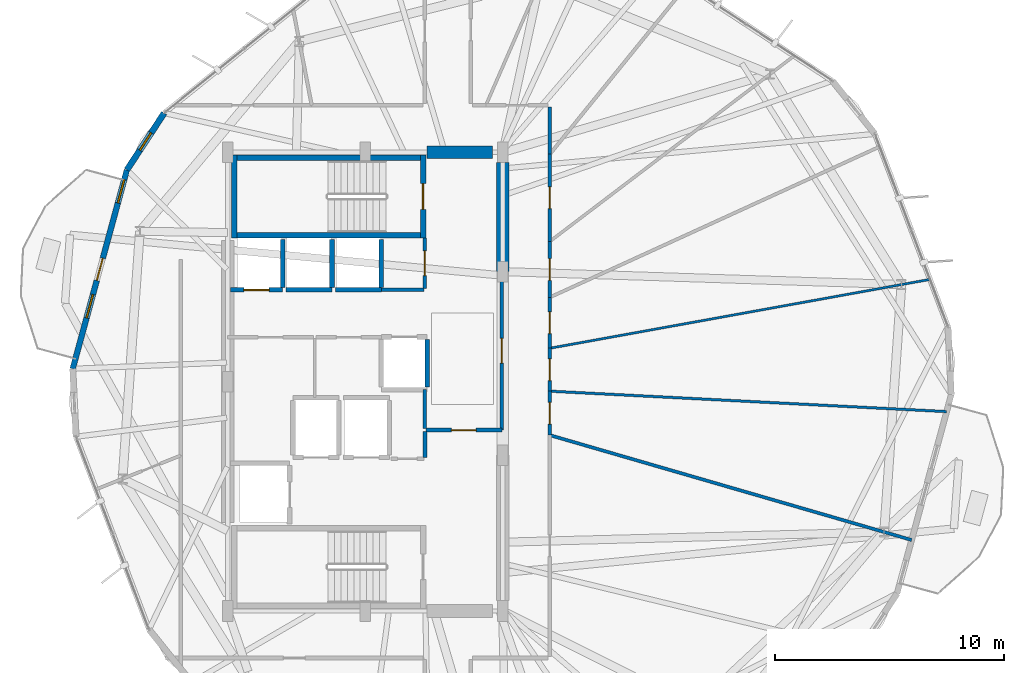
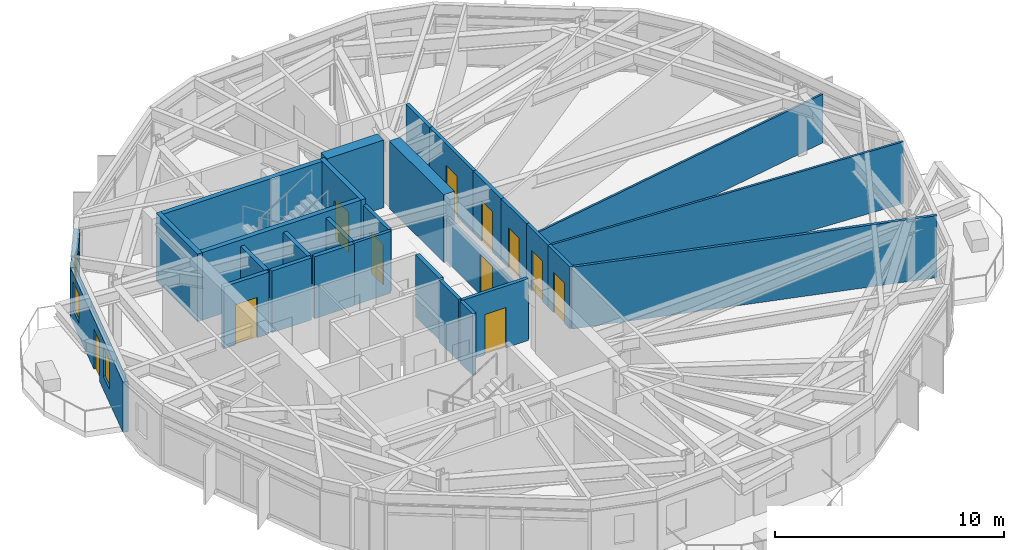
# One storey, part 19 of 23: 30 walls, 11 doors, 3 windows, 14 openings.
"""IFC4 building model written with IfcOpenShell, lengths in metres."""

import ifcopenshell
import ifcopenshell.guid

model = None  # the IFC model being written
_history = None  # IfcOwnerHistory: only IFC2X3 demands one
_inside = {}  # id of a spatial element -> (the spatial element, [elements in it])
_under = {}  # id of a project, library or spatial element -> (it, [spatial elements below it])
_declared = {}  # id of a project -> (the project, [libraries it declares])
_typed = {}  # id of a type object -> (the type object, [elements of that type])
_made_of = {}  # id of a material, layer set ... -> (it, [elements and type objects made of it])


def new_model(schema):
    """Start an empty IFC model of exactly this schema.

    Asked for "IFC4X3", IfcOpenShell would pick the latest addendum, in which some entities
    have other attributes; the version numbers below select the first issue.
    IFC2X3 requires an IfcOwnerHistory on every rooted entity: one is made here for all.
    """
    global model, _history
    if schema == "IFC4X3":
        model = ifcopenshell.file(schema_version=(4, 3, 0, 0))
    else:
        model = ifcopenshell.file(schema=schema)
    _inside.clear()
    _under.clear()
    _declared.clear()
    _typed.clear()
    _made_of.clear()
    _history = None
    if model.schema == "IFC2X3":
        org = make("IfcOrganization", Name="unknown")
        user = make(
            "IfcPersonAndOrganization",
            ThePerson=make("IfcPerson", FamilyName="unknown"),
            TheOrganization=org,
        )
        app = make(
            "IfcApplication",
            ApplicationDeveloper=org,
            Version="unknown",
            ApplicationFullName="unknown",
            ApplicationIdentifier="unknown",
        )
        _history = make(
            "IfcOwnerHistory",
            OwningUser=user,
            OwningApplication=app,
            ChangeAction="ADDED",
            CreationDate=0,
        )
    return model


def make(cls, **values):
    """One entity of the class cls with the attributes given. An attribute that is None is left unset."""
    return model.create_entity(
        cls, **{name: value for name, value in values.items() if value is not None}
    )


def rooted(cls, **values):
    """An entity with a GlobalId (a new one), such as an element, a storey or a relation."""
    return make(cls, GlobalId=ifcopenshell.guid.new(), OwnerHistory=_history, **values)


def si_unit(unit_type, name, prefix=None):
    """IfcSIUnit, for example si_unit("LENGTHUNIT", "METRE", prefix="MILLI")."""
    return make("IfcSIUnit", UnitType=unit_type, Prefix=prefix, Name=name)


def assignment(units):
    """IfcUnitAssignment: the units of a project."""
    return None if units is None else make("IfcUnitAssignment", Units=units)


def point(xyz):
    """IfcCartesianPoint."""
    return None if xyz is None else make("IfcCartesianPoint", Coordinates=xyz)


def direction(xyz):
    """IfcDirection."""
    return None if xyz is None else make("IfcDirection", DirectionRatios=xyz)


def frame(location, z_axis=None, x_axis=None):
    """IfcAxis2Placement3D, a coordinate frame: its origin and axes. An axis left out is left unset."""
    return make(
        "IfcAxis2Placement3D",
        Location=point(location),
        Axis=direction(z_axis),
        RefDirection=direction(x_axis),
    )


def frame_2d(location, x_axis=None):
    """IfcAxis2Placement2D, a coordinate frame in the plane: its origin and x axis."""
    return make(
        "IfcAxis2Placement2D", Location=point(location), RefDirection=direction(x_axis)
    )


def origin():
    """The frame at (0, 0, 0) with its axes left unset."""
    return frame((0.0, 0.0, 0.0))


def place(relative_to, where):
    """IfcLocalPlacement: puts the frame where relative to a parent placement (None: the world)."""
    return make(
        "IfcLocalPlacement", PlacementRelTo=relative_to, RelativePlacement=where
    )


def context(
    kind, dimensions, precision=None, world=None, true_north=None, identifier=None
):
    """IfcGeometricRepresentationContext, for example the 3D "Model" context."""
    return make(
        "IfcGeometricRepresentationContext",
        ContextIdentifier=identifier,
        ContextType=kind,
        CoordinateSpaceDimension=dimensions,
        Precision=precision,
        WorldCoordinateSystem=world,
        TrueNorth=true_north,
    )


def subcontext(parent, identifier, kind, view, scale=None):
    """IfcGeometricRepresentationSubContext, for example "Body" below "Model"."""
    return make(
        "IfcGeometricRepresentationSubContext",
        ContextIdentifier=identifier,
        ContextType=kind,
        ParentContext=parent,
        TargetScale=scale,
        TargetView=view,
    )


def project(units=None, contexts=None):
    """IfcProject with its units and contexts."""
    return rooted(
        "IfcProject",
        Name="project",
        RepresentationContexts=contexts,
        UnitsInContext=assignment(units),
    )


def spatial(cls, under=None, at=None, **own):
    """A site, building, storey or space (cls), placed at a placement, below another one or the project."""
    s = rooted(cls, ObjectPlacement=at, **own)
    if under is not None:
        _under.setdefault(under.id(), (under, []))[1].append(s)
    return s


def profile(cls, at=None, kind="AREA", **sizes):
    """A parametric profile (cls). Its sizes go by their IFC names, for example OverallWidth=200.0."""
    return make(cls, ProfileType=kind, Position=at, **sizes)


def rectangle(**sizes):
    """IfcRectangleProfileDef."""
    return profile("IfcRectangleProfileDef", **sizes)


def extrude(swept, where, along, depth):
    """IfcExtrudedAreaSolid: the profile swept, set in the frame where, extruded along a direction by depth."""
    return make(
        "IfcExtrudedAreaSolid",
        SweptArea=swept,
        Position=where,
        ExtrudedDirection=direction(along),
        Depth=depth,
    )


def shape(context_of_items, identifier, shape_type, items):
    """IfcShapeRepresentation: the items that make up one representation, for example the "Body"."""
    return make(
        "IfcShapeRepresentation",
        ContextOfItems=context_of_items,
        RepresentationIdentifier=identifier,
        RepresentationType=shape_type,
        Items=items,
    )


def material(Name=None, Category=None):
    """IfcMaterial."""
    return make("IfcMaterial", Name=Name, Category=Category)


def layer(
    of_material, thickness, ventilated=None, Name=None, Category=None, Priority=None
):
    """IfcMaterialLayer: one layer of a wall or slab, of a material (None: an air gap)."""
    return make(
        "IfcMaterialLayer",
        Material=of_material,
        LayerThickness=thickness,
        IsVentilated=ventilated,
        Name=Name,
        Category=Category,
        Priority=Priority,
    )


def layer_set(layers, Name=None):
    """IfcMaterialLayerSet."""
    return make("IfcMaterialLayerSet", MaterialLayers=layers, LayerSetName=Name)


def made_of(thing, what):
    """Note that an element or type object is made of a material, layer set ...; save() writes the relation."""
    if what is not None:
        _made_of.setdefault(what.id(), (what, []))[1].append(thing)
    return thing


def type_object(cls, material=None, **own):
    """A type object (cls), such as IfcWallType, which elements share."""
    return made_of(rooted(cls, **own), material)


def element(
    cls,
    number,
    at=None,
    inside=None,
    cuts=None,
    type_object=None,
    material=None,
    context=None,
    identifier="Body",
    shape_type=None,
    held_by="IfcProductDefinitionShape",
    body=None,
    shapes=None,
    **own,
):
    """One element of the class cls, such as IfcWall. Its Tag is "e" and its number.

    at: its placement. inside: the storey or other place that contains it. cuts: it is an
    opening in that element (IfcRelVoidsElement). A single representation is given by context,
    identifier, shape_type and body (its items); several are given by shapes. held_by: the class
    of the entity that holds the representations. save() writes the other relations.
    """
    e = rooted(cls, Tag="e%d" % number, ObjectPlacement=at, **own)
    if body is not None:
        shapes = [shape(context, identifier, shape_type, body)]
    if shapes is not None:
        e.Representation = make(held_by, Representations=shapes)
    if inside is not None:
        _inside.setdefault(inside.id(), (inside, []))[1].append(e)
    if cuts is not None:
        rooted(
            "IfcRelVoidsElement", RelatingBuildingElement=cuts, RelatedOpeningElement=e
        )
    if type_object is not None:
        _typed.setdefault(type_object.id(), (type_object, []))[1].append(e)
    return made_of(e, material)


def fill(opening, filler):
    """IfcRelFillsElement: the door or window that sits in an opening."""
    return rooted(
        "IfcRelFillsElement",
        RelatingOpeningElement=opening,
        RelatedBuildingElement=filler,
    )


def aggregate(whole, parts):
    """IfcRelAggregates: a whole, such as a stair, and the parts it consists of."""
    return rooted("IfcRelAggregates", RelatingObject=whole, RelatedObjects=parts)


def save(model, path):
    """Write the relations noted so far, then the file.

    IfcRelAggregates (storeys below a building ...), IfcRelContainedInSpatialStructure (elements
    in a storey), IfcRelDefinesByType, IfcRelAssociatesMaterial and IfcRelDeclares: one each for
    every whole, place, type object, material and project.
    """
    for whole, parts in _under.values():
        aggregate(whole, parts)
    for where, things in _inside.values():
        rooted(
            "IfcRelContainedInSpatialStructure",
            RelatedElements=things,
            RelatingStructure=where,
        )
    for kind, things in _typed.values():
        rooted("IfcRelDefinesByType", RelatedObjects=things, RelatingType=kind)
    for what, things in _made_of.values():
        rooted("IfcRelAssociatesMaterial", RelatedObjects=things, RelatingMaterial=what)
    for by, libraries in _declared.values():
        rooted("IfcRelDeclares", RelatingContext=by, RelatedDefinitions=libraries)
    model.write(path)


model = new_model("IFC4")

# Units and contexts
model_context = context("Model", 3, precision=1e-05, world=origin(), true_north=direction((0.0, 1.0)))
body_context = subcontext(model_context, "Body", "Model", "MODEL_VIEW")
ifc_project = project(units=[si_unit("LENGTHUNIT", "METRE"), si_unit("AREAUNIT", "SQUARE_METRE"), si_unit("VOLUMEUNIT", "CUBIC_METRE"), si_unit("PLANEANGLEUNIT", "RADIAN"), si_unit("MASSUNIT", "GRAM", prefix="KILO")], contexts=[model_context])

# Site, building, storey
site_placement = place(None, origin())
site = spatial("IfcSite", under=ifc_project, at=site_placement, CompositionType="ELEMENT")
building_placement = place(site_placement, origin())
building = spatial("IfcBuilding", under=site, at=building_placement, Name="Soratama Intermodal Tower", CompositionType="ELEMENT")
storey_placement = place(building_placement, frame((0.0, 0.0, 175.0)))
storey = spatial("IfcBuildingStorey", under=building, at=storey_placement, Name="L43", CompositionType="ELEMENT", Elevation=175.0)

# Wall, openings, door, windows
ifc_material_1 = material(Name="Concrete f'c 42 MPa", Category="concrete")
ifc_layer_1 = layer(ifc_material_1, 0.25)
ifc_layer_set_1 = layer_set([ifc_layer_1], Name="Concrete f'c 42 MPa")
wall_type_1 = type_object("IfcWallType", Name="EW-BAL-250", PredefinedType="SOLIDWALL", material=ifc_layer_set_1)
wall_1_placement = place(storey_placement, frame((28.20849609375, 34.2314453125, 0.0), z_axis=(0.0, 0.0, 1.0), x_axis=(-0.262862214903, -0.964833382495, 0.0)))
wall_1 = element("IfcWall", 1, at=wall_1_placement, inside=storey, type_object=wall_type_1, Name="L43 Terrace Wall F04", PredefinedType="SOLIDWALL", context=body_context, shape_type="SweptSolid", body=[
    extrude(rectangle(XDim=8.98583984375, YDim=0.25, at=frame_2d((4.492919921875, 0.0))), origin(), (0.0, 0.0, 1.0), 2.678955078125),
])
opening_1_placement = place(wall_1_placement, frame((3.992919921875, 0.0, 0.0)))
opening_1 = element("IfcOpeningElement", 2, at=opening_1_placement, cuts=wall_1, Name="Opening ED-2", PredefinedType="OPENING", context=body_context, shape_type="SweptSolid", body=[
    extrude(rectangle(XDim=1.0, YDim=2.14990234375, at=frame_2d((0.5, 1.074951171875))), frame((0.0, 0.135009765625, 0.0), z_axis=(0.0, -1.0, 0.0), x_axis=(1.0, 0.0, 0.0)), (0.0, 0.0, 1.0), 0.27001953125),
])
opening_2_placement = place(wall_1_placement, frame((0.43994140625, 0.0, 0.719970703125)))
opening_2 = element("IfcOpeningElement", 3, at=opening_2_placement, cuts=wall_1, Name="Opening WN-5", PredefinedType="OPENING", context=body_context, shape_type="SweptSolid", body=[
    extrude(rectangle(XDim=1.050048828125, YDim=1.550048828125, at=frame_2d((0.52490234375, 0.77490234375))), frame((0.0, 0.135009765625, 0.0), z_axis=(0.0, -1.0, 0.0), x_axis=(1.0, 0.0, 0.0)), (0.0, 0.0, 1.0), 0.27001953125),
])
opening_3_placement = place(wall_1_placement, frame((5.6328125, 0.0, 0.719970703125)))
opening_3 = element("IfcOpeningElement", 4, at=opening_3_placement, cuts=wall_1, Name="Opening WN-5", PredefinedType="OPENING", context=body_context, shape_type="SweptSolid", body=[
    extrude(rectangle(XDim=1.050048828125, YDim=1.550048828125, at=frame_2d((0.52490234375, 0.77490234375))), frame((0.0, 0.135009765625, 0.0), z_axis=(0.0, -1.0, 0.0), x_axis=(1.0, 0.0, 0.0)), (0.0, 0.0, 1.0), 0.27001953125),
])
ifc_material_2 = material(Name="Double-glazed aluminium door", Category="aluminium")
door_type_1 = type_object("IfcDoorType", Name="DR-BAL-1000", OperationType="NOTDEFINED", PredefinedType="DOOR", material=ifc_material_2)
door_1_placement = place(opening_1_placement, origin())
door_1 = element("IfcDoor", 5, at=door_1_placement, inside=storey, type_object=door_type_1, Name="L43 Balcony Door F04", OperationType="SINGLE_SWING_RIGHT", OverallHeight=2.14990234375, OverallWidth=1.0, PredefinedType="DOOR", context=body_context, shape_type="SweptSolid", body=[
    extrude(rectangle(XDim=1.0, YDim=2.14990234375, at=frame_2d((0.5, 1.074951171875))), frame((0.0, 0.02490234375, 0.0), z_axis=(0.0, -1.0, 0.0), x_axis=(1.0, 0.0, 0.0)), (0.0, 0.0, 1.0), 0.050048828125),
])
fill(opening_1, door_1)
ifc_material_3 = material(Name="Double-glazed aluminium window", Category="aluminium")
window_type_1 = type_object("IfcWindowType", Name="WN-FAC-1050", PartitioningType="SINGLE_PANEL", PredefinedType="WINDOW", material=ifc_material_3)
window_1_placement = place(opening_2_placement, origin())
window_1 = element("IfcWindow", 6, at=window_1_placement, inside=storey, type_object=window_type_1, Name="L43 Window A F04", OverallHeight=1.550048828125, OverallWidth=1.050048828125, PartitioningType="SINGLE_PANEL", PredefinedType="WINDOW", context=body_context, shape_type="SweptSolid", body=[
    extrude(rectangle(XDim=1.050048828125, YDim=1.550048828125, at=frame_2d((0.52490234375, 0.77490234375))), frame((0.0, 0.030029296875, 0.0), z_axis=(0.0, -1.0, 0.0), x_axis=(1.0, 0.0, 0.0)), (0.0, 0.0, 1.0), 0.06005859375),
])
fill(opening_2, window_1)
window_2_placement = place(opening_3_placement, origin())
window_2 = element("IfcWindow", 7, at=window_2_placement, inside=storey, type_object=window_type_1, Name="L43 Window B F04", OverallHeight=1.550048828125, OverallWidth=1.050048828125, PartitioningType="SINGLE_PANEL", PredefinedType="WINDOW", context=body_context, shape_type="SweptSolid", body=[
    extrude(rectangle(XDim=1.050048828125, YDim=1.550048828125, at=frame_2d((0.52490234375, 0.77490234375))), frame((0.0, 0.030029296875, 0.0), z_axis=(0.0, -1.0, 0.0), x_axis=(1.0, 0.0, 0.0)), (0.0, 0.0, 1.0), 0.06005859375),
])
fill(opening_3, window_2)

# Wall, opening, window
ifc_material_4 = material(Name="Concrete f'c 42 MPa", Category="concrete")
ifc_layer_2 = layer(ifc_material_4, 0.27001953125)
ifc_layer_set_2 = layer_set([ifc_layer_2], Name="Concrete f'c 42 MPa")
wall_type_2 = type_object("IfcWallType", Name="EW-CRN-270", PredefinedType="SOLIDWALL", material=ifc_layer_set_2)
wall_2_placement = place(storey_placement, frame((29.83447265625, 36.712646484375, 0.0), z_axis=(0.0, 0.0, 1.0), x_axis=(-0.548111634579, -0.836405186521, 0.0)))
wall_2 = element("IfcWall", 8, at=wall_2_placement, inside=storey, type_object=wall_type_2, Name="L43 Corner Closure Wall 03", PredefinedType="SOLIDWALL", context=body_context, shape_type="SweptSolid", body=[
    extrude(rectangle(XDim=2.966552734375, YDim=0.27001953125, at=frame_2d((1.4833984375, 0.0))), origin(), (0.0, 0.0, 1.0), 2.678955078125),
])
opening_4_placement = place(wall_2_placement, frame((1.033203125, 0.0, 0.75)))
opening_4 = element("IfcOpeningElement", 9, at=opening_4_placement, cuts=wall_2, Name="Opening WN-6", PredefinedType="OPENING", context=body_context, shape_type="SweptSolid", body=[
    extrude(rectangle(XDim=0.89990234375, YDim=1.5, at=frame_2d((0.449951171875, 0.75))), frame((0.0, 0.14501953125, 0.0), z_axis=(0.0, -1.0, 0.0), x_axis=(1.0, 0.0, 0.0)), (0.0, 0.0, 1.0), 0.2900390625),
])
ifc_material_5 = material(Name="Double-glazed aluminium window", Category="aluminium")
window_type_2 = type_object("IfcWindowType", Name="WN-FAC-900", PartitioningType="SINGLE_PANEL", PredefinedType="WINDOW", material=ifc_material_5)
window_3_placement = place(opening_4_placement, origin())
window_3 = element("IfcWindow", 10, at=window_3_placement, inside=storey, type_object=window_type_2, Name="L43 Corner Window 03", OverallHeight=1.5, OverallWidth=0.89990234375, PartitioningType="SINGLE_PANEL", PredefinedType="WINDOW", context=body_context, shape_type="SweptSolid", body=[
    extrude(rectangle(XDim=0.89990234375, YDim=1.5, at=frame_2d((0.449951171875, 0.75))), frame((0.0, 0.030029296875, 0.0), z_axis=(0.0, -1.0, 0.0), x_axis=(1.0, 0.0, 0.0)), (0.0, 0.0, 1.0), 0.06005859375),
])
fill(opening_4, window_3)

# Wall, opening, door
ifc_material_6 = material(Name="Fire-rated gypsum stud partition", Category="concrete")
ifc_layer_3 = layer(ifc_material_6, 0.159912109375)
ifc_layer_set_3 = layer_set([ifc_layer_3], Name="Fire-rated gypsum stud partition")
wall_type_3 = type_object("IfcWallType", Name="IW-PART-R160", PredefinedType="PARTITIONING", material=ifc_layer_set_3)
wall_3_placement = place(storey_placement, frame((44.56005859375, 29.800048828125, 0.0), z_axis=(0.0, 0.0, 1.0), x_axis=(0.0, -1.0, 0.0)))
wall_3 = element("IfcWall", 11, at=wall_3_placement, inside=storey, type_object=wall_type_3, Name="L43 Partition W-L43-TP011", PredefinedType="PARTITIONING", context=body_context, shape_type="SweptSolid", body=[
    extrude(rectangle(XDim=6.91015625, YDim=0.159912109375, at=frame_2d((3.455078125, 0.0))), origin(), (0.0, 0.0, 1.0), 2.340087890625),
])
opening_5_placement = place(wall_3_placement, frame((2.9150390625, 0.0, 0.0)))
opening_5 = element("IfcOpeningElement", 12, at=opening_5_placement, cuts=wall_3, Name="Opening ID-1", PredefinedType="OPENING", context=body_context, shape_type="SweptSolid", body=[
    extrude(rectangle(XDim=1.080078125, YDim=2.14990234375, at=frame_2d((0.5400390625, 1.074951171875))), frame((0.0, 0.08984375, 0.0), z_axis=(0.0, -1.0, 0.0), x_axis=(1.0, 0.0, 0.0)), (0.0, 0.0, 1.0), 0.179931640625),
])
ifc_material_7 = material(Name="Solid hardwood acoustic door", Category="wood")
door_type_2 = type_object("IfcDoorType", Name="DR-LOB-FD60", OperationType="NOTDEFINED", PredefinedType="DOOR", material=ifc_material_7)
door_2_placement = place(opening_5_placement, origin())
door_2 = element("IfcDoor", 13, at=door_2_placement, inside=storey, type_object=door_type_2, Name="L43 Door D-L43-TP003", OperationType="SINGLE_SWING_RIGHT", OverallHeight=2.14990234375, OverallWidth=1.080078125, PredefinedType="DOOR", context=body_context, shape_type="SweptSolid", body=[
    extrude(rectangle(XDim=1.080078125, YDim=2.14990234375, at=frame_2d((0.5400390625, 1.074951171875))), frame((0.0, 0.02490234375, 0.0), z_axis=(0.0, -1.0, 0.0), x_axis=(1.0, 0.0, 0.0)), (0.0, 0.0, 1.0), 0.050048828125),
])
fill(opening_5, door_2)

wall_4_placement = place(storey_placement, frame((46.64990234375, 34.9208984375, 0.0), z_axis=(0.0, 0.0, 1.0), x_axis=(0.0, -1.0, 0.0)))
wall_4 = element("IfcWall", 14, at=wall_4_placement, inside=storey, type_object=wall_type_3, Name="L43 Partition W-L43-TP020", PredefinedType="PARTITIONING", context=body_context, shape_type="SweptSolid", body=[
    extrude(rectangle(XDim=3.805908203125, YDim=0.159912109375, at=frame_2d((1.90283203125, 0.0))), origin(), (0.0, 0.0, 1.0), 3.300048828125),
])
opening_6_placement = place(wall_4_placement, frame((1.427978515625, 0.0, 0.0)))
opening_6 = element("IfcOpeningElement", 15, at=opening_6_placement, cuts=wall_4, Name="Opening ID-3", PredefinedType="OPENING", context=body_context, shape_type="SweptSolid", body=[
    extrude(rectangle(XDim=0.949951171875, YDim=2.14990234375, at=frame_2d((0.47509765625, 1.074951171875))), frame((0.0, 0.08984375, 0.0), z_axis=(0.0, -1.0, 0.0), x_axis=(1.0, 0.0, 0.0)), (0.0, 0.0, 1.0), 0.179931640625),
])
ifc_material_8 = material(Name="Solid hardwood acoustic door", Category="wood")
door_type_3 = type_object("IfcDoorType", Name="DR-ROOM-950", OperationType="NOTDEFINED", PredefinedType="DOOR", material=ifc_material_8)
door_3_placement = place(opening_6_placement, origin())
door_3 = element("IfcDoor", 16, at=door_3_placement, inside=storey, type_object=door_type_3, Name="L43 Door D-L43-TP007", OperationType="SINGLE_SWING_RIGHT", OverallHeight=2.14990234375, OverallWidth=0.949951171875, PredefinedType="DOOR", context=body_context, shape_type="SweptSolid", body=[
    extrude(rectangle(XDim=0.949951171875, YDim=2.14990234375, at=frame_2d((0.47509765625, 1.074951171875))), frame((0.0, 0.02490234375, 0.0), z_axis=(0.0, -1.0, 0.0), x_axis=(1.0, 0.0, 0.0)), (0.0, 0.0, 1.0), 0.050048828125),
])
fill(opening_6, door_3)

wall_5_placement = place(storey_placement, frame((46.64990234375, 31.114990234375, 0.0), z_axis=(0.0, 0.0, 1.0), x_axis=(0.0, -1.0, 0.0)))
wall_5 = element("IfcWall", 17, at=wall_5_placement, inside=storey, type_object=wall_type_3, Name="L43 Partition W-L43-TP027", PredefinedType="PARTITIONING", context=body_context, shape_type="SweptSolid", body=[
    extrude(rectangle(XDim=2.43798828125, YDim=0.159912109375, at=frame_2d((1.218994140625, 0.0))), origin(), (0.0, 0.0, 1.0), 3.300048828125),
])
opening_7_placement = place(wall_5_placement, frame((0.743896484375, 0.0, 0.0)))
opening_7 = element("IfcOpeningElement", 18, at=opening_7_placement, cuts=wall_5, Name="Opening ID-3", PredefinedType="OPENING", context=body_context, shape_type="SweptSolid", body=[
    extrude(rectangle(XDim=0.949951171875, YDim=2.14990234375, at=frame_2d((0.47509765625, 1.074951171875))), frame((0.0, 0.08984375, 0.0), z_axis=(0.0, -1.0, 0.0), x_axis=(1.0, 0.0, 0.0)), (0.0, 0.0, 1.0), 0.179931640625),
])
door_4_placement = place(opening_7_placement, origin())
door_4 = element("IfcDoor", 19, at=door_4_placement, inside=storey, type_object=door_type_3, Name="L43 Door D-L43-TP012", OperationType="SINGLE_SWING_LEFT", OverallHeight=2.14990234375, OverallWidth=0.949951171875, PredefinedType="DOOR", context=body_context, shape_type="SweptSolid", body=[
    extrude(rectangle(XDim=0.949951171875, YDim=2.14990234375, at=frame_2d((0.47509765625, 1.074951171875))), frame((0.0, 0.02490234375, 0.0), z_axis=(0.0, -1.0, 0.0), x_axis=(1.0, 0.0, 0.0)), (0.0, 0.0, 1.0), 0.050048828125),
])
fill(opening_7, door_4)

wall_6_placement = place(storey_placement, frame((46.64990234375, 28.677001953125, 0.0), z_axis=(0.0, 0.0, 1.0), x_axis=(0.0, -1.0, 0.0)))
wall_6 = element("IfcWall", 20, at=wall_6_placement, inside=storey, type_object=wall_type_3, Name="L43 Partition W-L43-TP028", PredefinedType="PARTITIONING", context=body_context, shape_type="SweptSolid", body=[
    extrude(rectangle(XDim=2.218994140625, YDim=0.159912109375, at=frame_2d((1.109375, 0.0))), origin(), (0.0, 0.0, 1.0), 3.300048828125),
])
opening_8_placement = place(wall_6_placement, frame((0.635009765625, 0.0, 0.0)))
opening_8 = element("IfcOpeningElement", 21, at=opening_8_placement, cuts=wall_6, Name="Opening ID-3", PredefinedType="OPENING", context=body_context, shape_type="SweptSolid", body=[
    extrude(rectangle(XDim=0.949951171875, YDim=2.14990234375, at=frame_2d((0.47509765625, 1.074951171875))), frame((0.0, 0.08984375, 0.0), z_axis=(0.0, -1.0, 0.0), x_axis=(1.0, 0.0, 0.0)), (0.0, 0.0, 1.0), 0.179931640625),
])
door_5_placement = place(opening_8_placement, origin())
door_5 = element("IfcDoor", 22, at=door_5_placement, inside=storey, type_object=door_type_3, Name="L43 Door D-L43-TP013", OperationType="SINGLE_SWING_RIGHT", OverallHeight=2.14990234375, OverallWidth=0.949951171875, PredefinedType="DOOR", context=body_context, shape_type="SweptSolid", body=[
    extrude(rectangle(XDim=0.949951171875, YDim=2.14990234375, at=frame_2d((0.47509765625, 1.074951171875))), frame((0.0, 0.02490234375, 0.0), z_axis=(0.0, -1.0, 0.0), x_axis=(1.0, 0.0, 0.0)), (0.0, 0.0, 1.0), 0.050048828125),
])
fill(opening_8, door_5)

wall_7_placement = place(storey_placement, frame((41.199951171875, 29.070068359375, 0.0), z_axis=(0.0, 0.0, 1.0), x_axis=(0.0, 1.0, 0.0)))
wall_7 = element("IfcWall", 23, at=wall_7_placement, inside=storey, type_object=wall_type_3, Name="L43 Partition W-L43-TP029", PredefinedType="PARTITIONING", context=body_context, shape_type="SweptSolid", body=[
    extrude(rectangle(XDim=2.18994140625, YDim=0.159912109375, at=frame_2d((1.094970703125, 0.0))), origin(), (0.0, 0.0, 1.0), 3.300048828125),
])
opening_9_placement = place(wall_7_placement, frame((0.554931640625, 0.0, 0.0)))
opening_9 = element("IfcOpeningElement", 24, at=opening_9_placement, cuts=wall_7, Name="Opening ID-1", PredefinedType="OPENING", context=body_context, shape_type="SweptSolid", body=[
    extrude(rectangle(XDim=1.080078125, YDim=2.14990234375, at=frame_2d((0.5400390625, 1.074951171875))), frame((0.0, 0.08984375, 0.0), z_axis=(0.0, -1.0, 0.0), x_axis=(1.0, 0.0, 0.0)), (0.0, 0.0, 1.0), 0.179931640625),
])
door_6_placement = place(opening_9_placement, origin())
door_6 = element("IfcDoor", 25, at=door_6_placement, inside=storey, type_object=door_type_2, Name="L43 Door D-L43-TP014", OperationType="SINGLE_SWING_LEFT", OverallHeight=2.14990234375, OverallWidth=1.080078125, PredefinedType="DOOR", context=body_context, shape_type="SweptSolid", body=[
    extrude(rectangle(XDim=1.080078125, YDim=2.14990234375, at=frame_2d((0.5400390625, 1.074951171875))), frame((0.0, 0.02490234375, 0.0), z_axis=(0.0, -1.0, 0.0), x_axis=(1.0, 0.0, 0.0)), (0.0, 0.0, 1.0), 0.050048828125),
])
fill(opening_9, door_6)

# Wall
wall_8_placement = place(storey_placement, frame((46.64990234375, 36.97998046875, 0.0), z_axis=(0.0, 0.0, 1.0), x_axis=(0.0, -1.0, 0.0)))
element("IfcWall", 26, at=wall_8_placement, inside=storey, type_object=wall_type_3, Name="L43 Partition W-L43-TP030", PredefinedType="PARTITIONING", context=body_context, shape_type="SweptSolid", body=[
    extrude(rectangle(XDim=2.05908203125, YDim=0.159912109375, at=frame_2d((1.029541015625, 0.0))), origin(), (0.0, 0.0, 1.0), 3.300048828125),
])

# Wall, opening, door
wall_9_placement = place(storey_placement, frame((46.64990234375, 24.5859375, 0.0), z_axis=(0.0, 0.0, 1.0), x_axis=(0.0, -1.0, 0.0)))
wall_9 = element("IfcWall", 27, at=wall_9_placement, inside=storey, type_object=wall_type_3, Name="L43 Partition W-L43-TP031", PredefinedType="PARTITIONING", context=body_context, shape_type="SweptSolid", body=[
    extrude(rectangle(XDim=1.9189453125, YDim=0.159912109375, at=frame_2d((0.95947265625, 0.0))), origin(), (0.0, 0.0, 1.0), 3.300048828125),
])
opening_10_placement = place(wall_9_placement, frame((0.48388671875, 0.0, 0.0)))
opening_10 = element("IfcOpeningElement", 28, at=opening_10_placement, cuts=wall_9, Name="Opening ID-3", PredefinedType="OPENING", context=body_context, shape_type="SweptSolid", body=[
    extrude(rectangle(XDim=0.949951171875, YDim=2.14990234375, at=frame_2d((0.47509765625, 1.074951171875))), frame((0.0, 0.08984375, 0.0), z_axis=(0.0, -1.0, 0.0), x_axis=(1.0, 0.0, 0.0)), (0.0, 0.0, 1.0), 0.179931640625),
])
door_7_placement = place(opening_10_placement, origin())
door_7 = element("IfcDoor", 29, at=door_7_placement, inside=storey, type_object=door_type_3, Name="L43 Door D-L43-TP015", OperationType="SINGLE_SWING_RIGHT", OverallHeight=2.14990234375, OverallWidth=0.949951171875, PredefinedType="DOOR", context=body_context, shape_type="SweptSolid", body=[
    extrude(rectangle(XDim=0.949951171875, YDim=2.14990234375, at=frame_2d((0.47509765625, 1.074951171875))), frame((0.0, 0.02490234375, 0.0), z_axis=(0.0, -1.0, 0.0), x_axis=(1.0, 0.0, 0.0)), (0.0, 0.0, 1.0), 0.050048828125),
])
fill(opening_10, door_7)

wall_10_placement = place(storey_placement, frame((46.64990234375, 26.4580078125, 0.0), z_axis=(0.0, 0.0, 1.0), x_axis=(0.0, -1.0, 0.0)))
wall_10 = element("IfcWall", 30, at=wall_10_placement, inside=storey, type_object=wall_type_3, Name="L43 Partition W-L43-TP032", PredefinedType="PARTITIONING", context=body_context, shape_type="SweptSolid", body=[
    extrude(rectangle(XDim=1.8720703125, YDim=0.159912109375, at=frame_2d((0.93603515625, 0.0))), origin(), (0.0, 0.0, 1.0), 3.300048828125),
])
opening_11_placement = place(wall_10_placement, frame((0.4609375, 0.0, 0.0)))
opening_11 = element("IfcOpeningElement", 31, at=opening_11_placement, cuts=wall_10, Name="Opening ID-3", PredefinedType="OPENING", context=body_context, shape_type="SweptSolid", body=[
    extrude(rectangle(XDim=0.949951171875, YDim=2.14990234375, at=frame_2d((0.47509765625, 1.074951171875))), frame((0.0, 0.08984375, 0.0), z_axis=(0.0, -1.0, 0.0), x_axis=(1.0, 0.0, 0.0)), (0.0, 0.0, 1.0), 0.179931640625),
])
door_8_placement = place(opening_11_placement, origin())
door_8 = element("IfcDoor", 32, at=door_8_placement, inside=storey, type_object=door_type_3, Name="L43 Door D-L43-TP016", OperationType="SINGLE_SWING_LEFT", OverallHeight=2.14990234375, OverallWidth=0.949951171875, PredefinedType="DOOR", context=body_context, shape_type="SweptSolid", body=[
    extrude(rectangle(XDim=0.949951171875, YDim=2.14990234375, at=frame_2d((0.47509765625, 1.074951171875))), frame((0.0, 0.02490234375, 0.0), z_axis=(0.0, -1.0, 0.0), x_axis=(1.0, 0.0, 0.0)), (0.0, 0.0, 1.0), 0.050048828125),
])
fill(opening_11, door_8)

# Walls
wall_11_placement = place(storey_placement, frame((39.300048828125, 29.010009765625, 0.0), z_axis=(0.0, 0.0, 1.0), x_axis=(1.0, 0.0, 0.0)))
element("IfcWall", 33, at=wall_11_placement, inside=storey, type_object=wall_type_3, Name="L43 Partition W-L43-TP033", PredefinedType="PARTITIONING", context=body_context, shape_type="SweptSolid", body=[
    extrude(rectangle(XDim=1.85986328125, YDim=0.159912109375, at=frame_2d((0.929931640625, 0.0))), origin(), (0.0, 0.0, 1.0), 3.300048828125),
])
wall_12_placement = place(storey_placement, frame((41.199951171875, 22.9599609375, 0.0), z_axis=(0.0, 0.0, 1.0), x_axis=(0.0, 1.0, 0.0)))
element("IfcWall", 34, at=wall_12_placement, inside=storey, type_object=wall_type_3, Name="L43 Partition W-L43-TP034", PredefinedType="PARTITIONING", context=body_context, shape_type="SweptSolid", body=[
    extrude(rectangle(XDim=1.68994140625, YDim=0.159912109375, at=frame_2d((0.844970703125, 0.0))), origin(), (0.0, 0.0, 1.0), 3.300048828125),
])

# Wall, opening, door
ifc_material_9 = material(Name="Fire-rated gypsum stud partition", Category="concrete")
ifc_layer_4 = layer(ifc_material_9, 0.169921875)
ifc_layer_set_4 = layer_set([ifc_layer_4], Name="Fire-rated gypsum stud partition")
wall_type_4 = type_object("IfcWallType", Name="IW-PART-R170", PredefinedType="PARTITIONING", material=ifc_layer_set_4)
wall_13_placement = place(storey_placement, frame((41.239990234375, 22.889892578125, 0.0), z_axis=(0.0, 0.0, 1.0), x_axis=(1.0, 0.0, 0.0)))
wall_13 = element("IfcWall", 35, at=wall_13_placement, inside=storey, type_object=wall_type_4, Name="L43 Partition W-L43-TP022", PredefinedType="PARTITIONING", context=body_context, shape_type="SweptSolid", body=[
    extrude(rectangle(XDim=3.320068359375, YDim=0.169921875, at=frame_2d((1.66015625, 0.0))), origin(), (0.0, 0.0, 1.0), 3.300048828125),
])
opening_12_placement = place(wall_13_placement, frame((1.1201171875, 0.0, 0.0)))
opening_12 = element("IfcOpeningElement", 36, at=opening_12_placement, cuts=wall_13, Name="Opening ID-0", PredefinedType="OPENING", context=body_context, shape_type="SweptSolid", body=[
    extrude(rectangle(XDim=1.080078125, YDim=2.14990234375, at=frame_2d((0.5400390625, 1.074951171875))), frame((0.0, 0.094970703125, 0.0), z_axis=(0.0, -1.0, 0.0), x_axis=(1.0, 0.0, 0.0)), (0.0, 0.0, 1.0), 0.18994140625),
])
ifc_material_10 = material(Name="Solid hardwood acoustic door", Category="wood")
door_type_4 = type_object("IfcDoorType", Name="DR-LOB-FD90", OperationType="NOTDEFINED", PredefinedType="DOOR", material=ifc_material_10)
door_9_placement = place(opening_12_placement, origin())
door_9 = element("IfcDoor", 37, at=door_9_placement, inside=storey, type_object=door_type_4, Name="L43 Door D-L43-TP009", OperationType="SINGLE_SWING_RIGHT", OverallHeight=2.14990234375, OverallWidth=1.080078125, PredefinedType="DOOR", context=body_context, shape_type="SweptSolid", body=[
    extrude(rectangle(XDim=1.080078125, YDim=2.14990234375, at=frame_2d((0.5400390625, 1.074951171875))), frame((0.0, 0.02490234375, 0.0), z_axis=(0.0, -1.0, 0.0), x_axis=(1.0, 0.0, 0.0)), (0.0, 0.0, 1.0), 0.050048828125),
])
fill(opening_12, door_9)

# Walls
wall_14_placement = place(storey_placement, frame((41.199951171875, 21.699951171875, 0.0), z_axis=(0.0, 0.0, 1.0), x_axis=(0.0, 1.0, 0.0)))
element("IfcWall", 38, at=wall_14_placement, inside=storey, type_object=wall_type_4, Name="L43 Partition W-L43-TP036", PredefinedType="PARTITIONING", context=body_context, shape_type="SweptSolid", body=[
    extrude(rectangle(XDim=1.1201171875, YDim=0.169921875, at=frame_2d((0.56005859375, 0.0))), origin(), (0.0, 0.0, 1.0), 3.300048828125),
])
ifc_material_11 = material(Name="Fire-rated gypsum stud partition", Category="concrete")
ifc_layer_5 = layer(ifc_material_11, 0.10009765625)
ifc_layer_set_5 = layer_set([ifc_layer_5], Name="Fire-rated gypsum stud partition")
wall_type_5 = type_object("IfcWallType", Name="IW-PART-S100", PredefinedType="PARTITIONING", material=ifc_layer_set_5)
wall_15_placement = place(storey_placement, frame((46.64990234375, 26.4580078125, 0.0), z_axis=(0.0, 0.0, 1.0), x_axis=(0.984001322832, 0.178161153633, 0.0)))
element("IfcWall", 39, at=wall_15_placement, inside=storey, type_object=wall_type_5, Name="L43 Partition W-L43-TP002", PredefinedType="PARTITIONING", context=body_context, shape_type="SweptSolid", body=[
    extrude(rectangle(XDim=16.849609375, YDim=0.10009765625, at=frame_2d((8.4248046875, 0.0))), origin(), (0.0, 0.0, 1.0), 2.594970703125),
])
ifc_material_12 = material(Name="Fire-rated gypsum stud partition", Category="concrete")
ifc_layer_6 = layer(ifc_material_12, 0.110107421875)
ifc_layer_set_6 = layer_set([ifc_layer_6], Name="Fire-rated gypsum stud partition")
wall_type_6 = type_object("IfcWallType", Name="IW-PART-S110", PredefinedType="PARTITIONING", material=ifc_layer_set_6)
wall_16_placement = place(storey_placement, frame((63.950927734375, 23.695068359375, 0.0), z_axis=(0.0, 0.0, 1.0), x_axis=(-0.998676903374, 0.051424144788, 0.0)))
element("IfcWall", 40, at=wall_16_placement, inside=storey, type_object=wall_type_6, Name="L43 Partition W-L43-TP001", PredefinedType="PARTITIONING", context=body_context, shape_type="SweptSolid", body=[
    extrude(rectangle(XDim=17.323974609375, YDim=0.110107421875, at=frame_2d((8.662109375, 0.0))), origin(), (0.0, 0.0, 1.0), 3.300048828125),
])
ifc_material_13 = material(Name="Fire-rated gypsum stud partition", Category="concrete")
ifc_layer_7 = layer(ifc_material_13, 0.139892578125)
ifc_layer_set_7 = layer_set([ifc_layer_7], Name="Fire-rated gypsum stud partition")
wall_type_7 = type_object("IfcWallType", Name="IW-PART-S140", PredefinedType="PARTITIONING", material=ifc_layer_set_7)
wall_17_placement = place(storey_placement, frame((46.64990234375, 22.6669921875, 0.0), z_axis=(0.0, 0.0, 1.0), x_axis=(0.960510649918, -0.278243223445, 0.0)))
element("IfcWall", 41, at=wall_17_placement, inside=storey, type_object=wall_type_7, Name="L43 Partition W-L43-TP003", PredefinedType="PARTITIONING", context=body_context, shape_type="SweptSolid", body=[
    extrude(rectangle(XDim=16.4248046875, YDim=0.139892578125, at=frame_2d((8.21240234375, 0.0))), origin(), (0.0, 0.0, 1.0), 3.300048828125),
])
ifc_material_14 = material(Name="Concrete f'c 42 MPa", Category="concrete")
ifc_layer_8 = layer(ifc_material_14, 0.199951171875)
ifc_layer_set_8 = layer_set([ifc_layer_8], Name="Concrete f'c 42 MPa")
wall_type_8 = type_object("IfcWallType", Name="IW-SHAFT-200", PredefinedType="SOLIDWALL", material=ifc_layer_set_8)
wall_18_placement = place(storey_placement, frame((41.300048828125, 24.760009765625, 0.0), z_axis=(0.0, 0.0, 1.0), x_axis=(0.0, 1.0, 0.0)))
element("IfcWall", 42, at=wall_18_placement, inside=storey, type_object=wall_type_8, Name="L43 PL-M1 Hoistway Wall E", PredefinedType="SOLIDWALL", context=body_context, shape_type="SweptSolid", body=[
    extrude(rectangle(XDim=2.080078125, YDim=0.199951171875, at=frame_2d((1.0400390625, 0.0))), origin(), (0.0, 0.0, 1.0), 3.300048828125),
])

# Wall, opening, door
wall_19_placement = place(storey_placement, frame((32.719970703125, 29.0, 0.0), z_axis=(0.0, 0.0, 1.0), x_axis=(1.0, 0.0, 0.0)))
wall_19 = element("IfcWall", 43, at=wall_19_placement, inside=storey, type_object=wall_type_8, Name="L43 PL-M2 Hoistway Wall S", PredefinedType="SOLIDWALL", context=body_context, shape_type="SweptSolid", body=[
    extrude(rectangle(XDim=2.280029296875, YDim=0.199951171875, at=frame_2d((1.14013671875, 0.0))), origin(), (0.0, 0.0, 1.0), 3.300048828125),
])
opening_13_placement = place(wall_19_placement, frame((0.590087890625, 0.0, 0.0)))
opening_13 = element("IfcOpeningElement", 44, at=opening_13_placement, cuts=wall_19, Name="Opening LD-1", PredefinedType="OPENING", context=body_context, shape_type="SweptSolid", body=[
    extrude(rectangle(XDim=1.10009765625, YDim=2.14990234375, at=frame_2d((0.550048828125, 1.074951171875))), frame((0.0, 0.10986328125, 0.0), z_axis=(0.0, -1.0, 0.0), x_axis=(1.0, 0.0, 0.0)), (0.0, 0.0, 1.0), 0.219970703125),
])
ifc_material_15 = material(Name="Steel fire door", Category="steel")
door_type_5 = type_object("IfcDoorType", Name="DR-LIFT-SLIDE", OperationType="NOTDEFINED", PredefinedType="DOOR", material=ifc_material_15)
door_10_placement = place(opening_13_placement, origin())
door_10 = element("IfcDoor", 45, at=door_10_placement, inside=storey, type_object=door_type_5, Name="L43 PL-M2 Sliding Landing Door", OperationType="SLIDING_TO_LEFT", OverallHeight=2.14990234375, OverallWidth=1.10009765625, PredefinedType="DOOR", context=body_context, shape_type="SweptSolid", body=[
    extrude(rectangle(XDim=1.10009765625, YDim=2.14990234375, at=frame_2d((0.550048828125, 1.074951171875))), frame((0.0, 0.02490234375, 0.0), z_axis=(0.0, -1.0, 0.0), x_axis=(1.0, 0.0, 0.0)), (0.0, 0.0, 1.0), 0.050048828125),
])
fill(opening_13, door_10)

# Walls
wall_20_placement = place(storey_placement, frame((35.0, 29.110107421875, 0.0), z_axis=(0.0, 0.0, 1.0), x_axis=(0.0, 1.0, 0.0)))
element("IfcWall", 46, at=wall_20_placement, inside=storey, type_object=wall_type_8, Name="L43 PL-M2 Hoistway Wall E", PredefinedType="SOLIDWALL", context=body_context, shape_type="SweptSolid", body=[
    extrude(rectangle(XDim=2.099853515625, YDim=0.199951171875, at=frame_2d((1.0498046875, 0.0))), origin(), (0.0, 0.0, 1.0), 3.300048828125),
])
wall_21_placement = place(storey_placement, frame((35.14990234375, 29.0, 0.0), z_axis=(0.0, 0.0, 1.0), x_axis=(1.0, 0.0, 0.0)))
element("IfcWall", 47, at=wall_21_placement, inside=storey, type_object=wall_type_8, Name="L43 PL-H1 Hoistway Wall S", PredefinedType="SOLIDWALL", context=body_context, shape_type="SweptSolid", body=[
    extrude(rectangle(XDim=2.0, YDim=0.199951171875, at=frame_2d((1.0, 0.0))), origin(), (0.0, 0.0, 1.0), 3.300048828125),
])
wall_22_placement = place(storey_placement, frame((37.14990234375, 29.110107421875, 0.0), z_axis=(0.0, 0.0, 1.0), x_axis=(0.0, 1.0, 0.0)))
element("IfcWall", 48, at=wall_22_placement, inside=storey, type_object=wall_type_8, Name="L43 PL-H1 Hoistway Wall E", PredefinedType="SOLIDWALL", context=body_context, shape_type="SweptSolid", body=[
    extrude(rectangle(XDim=2.099853515625, YDim=0.199951171875, at=frame_2d((1.0498046875, 0.0))), origin(), (0.0, 0.0, 1.0), 3.300048828125),
])
wall_23_placement = place(storey_placement, frame((37.300048828125, 29.0, 0.0), z_axis=(0.0, 0.0, 1.0), x_axis=(1.0, 0.0, 0.0)))
element("IfcWall", 49, at=wall_23_placement, inside=storey, type_object=wall_type_8, Name="L43 PL-H2 Hoistway Wall S", PredefinedType="SOLIDWALL", context=body_context, shape_type="SweptSolid", body=[
    extrude(rectangle(XDim=2.0, YDim=0.199951171875, at=frame_2d((1.0, 0.0))), origin(), (0.0, 0.0, 1.0), 3.300048828125),
])
wall_24_placement = place(storey_placement, frame((39.300048828125, 29.110107421875, 0.0), z_axis=(0.0, 0.0, 1.0), x_axis=(0.0, 1.0, 0.0)))
element("IfcWall", 50, at=wall_24_placement, inside=storey, type_object=wall_type_8, Name="L43 PL-H2 Hoistway Wall E", PredefinedType="SOLIDWALL", context=body_context, shape_type="SweptSolid", body=[
    extrude(rectangle(XDim=2.099853515625, YDim=0.199951171875, at=frame_2d((1.0498046875, 0.0))), origin(), (0.0, 0.0, 1.0), 3.300048828125),
])
ifc_material_16 = material(Name="Concrete f'c 56 MPa", Category="concrete")
ifc_layer_9 = layer(ifc_material_16, 0.550048828125)
ifc_layer_set_9 = layer_set([ifc_layer_9], Name="Concrete f'c 56 MPa")
wall_type_9 = type_object("IfcWallType", Name="SW-CORE-550", PredefinedType="SHEAR", material=ifc_layer_set_9)
wall_25_placement = place(storey_placement, frame((41.300048828125, 35.0, 0.0), z_axis=(0.0, 0.0, 1.0), x_axis=(1.0, 0.0, 0.0)))
element("IfcWall", 51, at=wall_25_placement, inside=storey, type_object=wall_type_9, Name="L43 Core Shear Wall CW-NE", PredefinedType="SHEAR", context=body_context, shape_type="SweptSolid", body=[
    extrude(rectangle(XDim=2.849853515625, YDim=0.550048828125, at=frame_2d((1.4248046875, 0.0))), origin(), (0.0, 0.0, 1.0), 3.60009765625),
])
wall_26_placement = place(storey_placement, frame((44.60009765625, 29.800048828125, 0.0), z_axis=(0.0, 0.0, 1.0), x_axis=(0.0, 1.0, 0.0)))
element("IfcWall", 52, at=wall_26_placement, inside=storey, type_object=wall_type_9, Name="L43 Core Shear Wall CW-EN", PredefinedType="SHEAR", context=body_context, shape_type="SweptSolid", body=[
    extrude(rectangle(XDim=4.75, YDim=0.550048828125, at=frame_2d((2.375, 0.0))), origin(), (0.0, 0.0, 1.0), 3.60009765625),
])
ifc_material_17 = material(Name="Concrete f'c 56 MPa", Category="concrete")
ifc_layer_10 = layer(ifc_material_17, 0.239990234375)
ifc_layer_set_10 = layer_set([ifc_layer_10], Name="Concrete f'c 56 MPa")
wall_type_10 = type_object("IfcWallType", Name="SW-STAIR-240", PredefinedType="SHEAR", material=ifc_layer_set_10)
wall_27_placement = place(storey_placement, frame((32.8798828125, 31.260009765625, 0.0), z_axis=(0.0, 0.0, 1.0), x_axis=(0.0, 1.0, 0.0)))
element("IfcWall", 53, at=wall_27_placement, inside=storey, type_object=wall_type_10, Name="L43 ST-2 Shaft Shear Wall W", PredefinedType="SHEAR", context=body_context, shape_type="SweptSolid", body=[
    extrude(rectangle(XDim=3.6298828125, YDim=0.239990234375, at=frame_2d((1.81494140625, 0.0))), origin(), (0.0, 0.0, 1.0), 3.60009765625),
])

# Wall, opening, door
wall_28_placement = place(storey_placement, frame((41.1201171875, 31.260009765625, 0.0), z_axis=(0.0, 0.0, 1.0), x_axis=(0.0, 1.0, 0.0)))
wall_28 = element("IfcWall", 54, at=wall_28_placement, inside=storey, type_object=wall_type_10, Name="L43 ST-2 Shaft Shear Wall E", PredefinedType="SHEAR", context=body_context, shape_type="SweptSolid", body=[
    extrude(rectangle(XDim=3.6298828125, YDim=0.239990234375, at=frame_2d((1.81494140625, 0.0))), origin(), (0.0, 0.0, 1.0), 3.60009765625),
])
opening_14_placement = place(wall_28_placement, frame((1.2548828125, 0.0, 0.0)))
opening_14 = element("IfcOpeningElement", 55, at=opening_14_placement, cuts=wall_28, Name="Opening SD-1", PredefinedType="OPENING", context=body_context, shape_type="SweptSolid", body=[
    extrude(rectangle(XDim=1.1201171875, YDim=2.14990234375, at=frame_2d((0.56005859375, 1.074951171875))), frame((0.0, 0.1298828125, 0.0), z_axis=(0.0, -1.0, 0.0), x_axis=(1.0, 0.0, 0.0)), (0.0, 0.0, 1.0), 0.260009765625),
])
ifc_material_18 = material(Name="Steel fire door", Category="steel")
door_type_6 = type_object("IfcDoorType", Name="DR-STAIR-FD90", OperationType="NOTDEFINED", PredefinedType="DOOR", material=ifc_material_18)
door_11_placement = place(opening_14_placement, origin())
door_11 = element("IfcDoor", 56, at=door_11_placement, inside=storey, type_object=door_type_6, Name="L43 ST-2 Exit Stair Door", OperationType="SINGLE_SWING_RIGHT", OverallHeight=2.14990234375, OverallWidth=1.1201171875, PredefinedType="DOOR", context=body_context, shape_type="SweptSolid", body=[
    extrude(rectangle(XDim=1.1201171875, YDim=2.14990234375, at=frame_2d((0.56005859375, 1.074951171875))), frame((0.0, 0.02490234375, 0.0), z_axis=(0.0, -1.0, 0.0), x_axis=(1.0, 0.0, 0.0)), (0.0, 0.0, 1.0), 0.050048828125),
])
fill(opening_14, door_11)

# Walls
for number, where, z_axis, x_axis, name in (
    (57, (33.0, 31.3798828125, 0.0), (0.0, 0.0, 1.0), (1.0, 0.0, 0.0), "L43 ST-2 Shaft Shear Wall S"),
    (58, (33.0, 34.77001953125, 0.0), (0.0, 0.0, 1.0), (1.0, 0.0, 0.0), "L43 ST-2 Shaft Shear Wall N"),
):
    element("IfcWall", number, at=place(storey_placement, frame(where, z_axis=z_axis, x_axis=x_axis)), inside=storey, type_object=wall_type_10, Name=name, PredefinedType="SHEAR", context=body_context, shape_type="SweptSolid", body=[
        extrude(rectangle(XDim=8.0, YDim=0.239990234375, at=frame_2d((4.0, 0.0))), origin(), (0.0, 0.0, 1.0), 3.60009765625),
    ])

save(model, "model.ifc")
